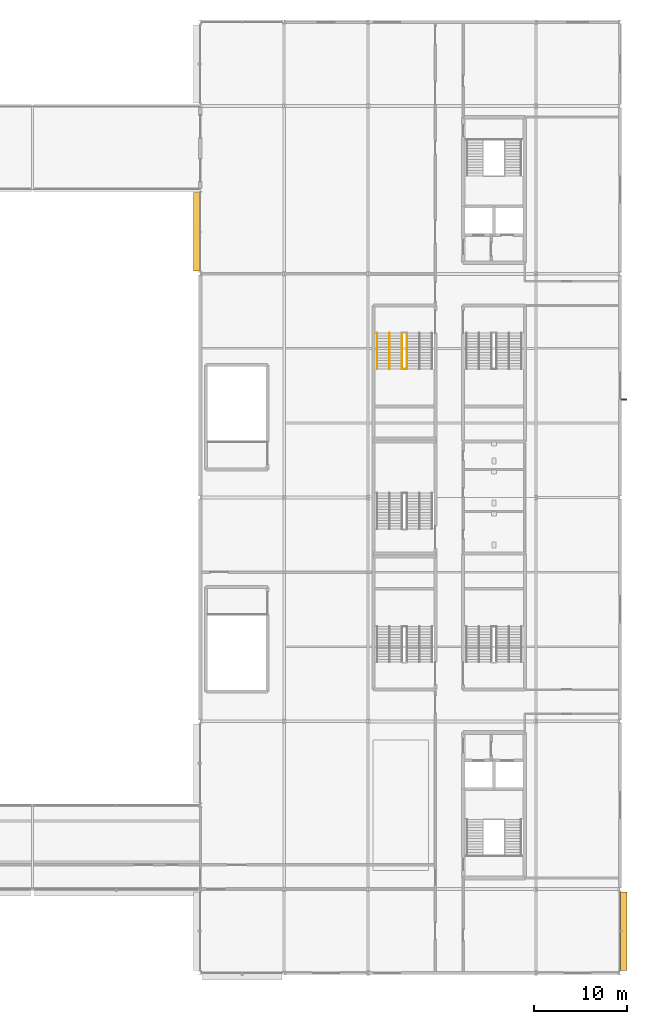
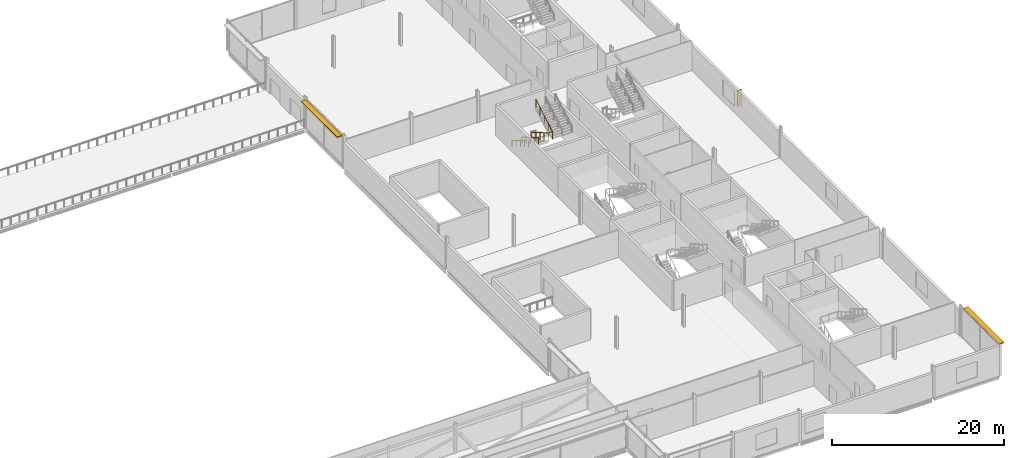
# One storey, part 71 of 73: 3 railings, 3 shading devices.
"""IFC4 building model written with IfcOpenShell, lengths in metres."""

from ifc_helpers import new_model, si_unit, direction, frame, origin, origin_2d, place, context, subcontext, project, spatial, rectangle, circle, extrude, material, type_object, element, save


model = new_model("IFC4")

# Units and contexts
model_context = context("Model", 3, precision=1e-05, world=origin(), true_north=direction((0.0, 1.0)))
body_context = subcontext(model_context, "Body", "Model", "MODEL_VIEW")
ifc_project = project(units=[si_unit("LENGTHUNIT", "METRE"), si_unit("AREAUNIT", "SQUARE_METRE"), si_unit("VOLUMEUNIT", "CUBIC_METRE"), si_unit("PLANEANGLEUNIT", "RADIAN"), si_unit("MASSUNIT", "GRAM", prefix="KILO")], contexts=[model_context])

# Site, building, storey
site_placement = place(None, origin())
site = spatial("IfcSite", under=ifc_project, at=site_placement, CompositionType="ELEMENT")
building_placement = place(site_placement, origin())
building = spatial("IfcBuilding", under=site, at=building_placement, Name="Kisiwana Market Hall", CompositionType="ELEMENT")
storey_placement = place(building_placement, frame((0.0, 0.0, 33.300048828125)))
storey = spatial("IfcBuildingStorey", under=building, at=storey_placement, Name="L07", CompositionType="ELEMENT", Elevation=33.300048828125)

# Railings
ifc_material_1 = material(Name="Steel S275", Category="steel")
railing_type_1 = type_object("IfcRailingType", Name="RL-GUARD-1100", PredefinedType="GUARDRAIL", material=ifc_material_1)
railing_placement = place(storey_placement, frame((174.6201171875, 77.639892578125, 0.0)))
element("IfcRailing", 1, at=railing_placement, inside=storey, type_object=railing_type_1, Name="Stair ST-E8-L07 inner-well guardrail (RL-1109)", PredefinedType="GUARDRAIL", context=body_context, shape_type="SweptSolid", body=[
    extrude(circle(Radius=0.02392578125, at=origin_2d()), frame((0.0, 0.0, 1.076171875), z_axis=(0.0, -0.86250956776, 0.506040754805), x_axis=(1.0, 0.0, 0.0)), (0.0, 0.0, 1.0), 4.4462890625),
    extrude(circle(Radius=0.02392578125, at=origin_2d()), frame((0.0, -3.8349609375, 3.326171875), z_axis=(1.0, 0.0, 0.0), x_axis=(0.0, 1.0, 0.0)), (0.0, 0.0, 1.0), 0.559814453125),
    extrude(circle(Radius=0.02392578125, at=origin_2d()), frame((0.559814453125, -3.8349609375, 3.326171875), z_axis=(0.0, 0.86250956776, 0.506040754805), x_axis=(-1.0, 0.0, 0.0)), (0.0, 0.0, 1.0), 4.4462890625),
    extrude(circle(Radius=0.02099609375, at=origin_2d()), origin(), (0.0, 0.0, 1.0), 1.052001953125),
    extrude(circle(Radius=0.02099609375, at=origin_2d()), frame((0.0, -0.958740234375, 0.5625)), (0.0, 0.0, 1.0), 1.052001953125),
    extrude(circle(Radius=0.02099609375, at=origin_2d()), frame((0.0, -1.91748046875, 1.125)), (0.0, 0.0, 1.0), 1.052001953125),
    extrude(circle(Radius=0.02099609375, at=origin_2d()), frame((0.0, -2.876220703125, 1.6875)), (0.0, 0.0, 1.0), 1.052001953125),
    extrude(circle(Radius=0.02099609375, at=origin_2d()), frame((0.0, -3.8349609375, 2.25)), (0.0, 0.0, 1.0), 1.052001953125),
    extrude(circle(Radius=0.02099609375, at=origin_2d()), frame((0.559814453125, -3.8349609375, 2.25)), (0.0, 0.0, 1.0), 1.052001953125),
    extrude(circle(Radius=0.02099609375, at=origin_2d()), frame((0.559814453125, -2.876220703125, 2.8125)), (0.0, 0.0, 1.0), 1.052001953125),
    extrude(circle(Radius=0.02099609375, at=origin_2d()), frame((0.559814453125, -1.91748046875, 3.375)), (0.0, 0.0, 1.0), 1.052001953125),
    extrude(circle(Radius=0.02099609375, at=origin_2d()), frame((0.559814453125, -0.958740234375, 3.9375)), (0.0, 0.0, 1.0), 1.052001953125),
    extrude(circle(Radius=0.02099609375, at=origin_2d()), frame((0.559814453125, 0.0, 4.5)), (0.0, 0.0, 1.0), 1.052001953125),
])
ifc_material_2 = material(Name="Steel S275", Category="steel")
railing_type_2 = type_object("IfcRailingType", Name="RL-HAND-900", PredefinedType="HANDRAIL", material=ifc_material_2)
for number, where, name in (
    (2, (171.969970703125, 77.639892578125, 0.0), "Stair ST-E8-L07 flight 1 handrail (RL-1110)"),
    (3, (173.2900390625, 77.639892578125, 0.0), "Stair ST-E8-L07 flight 1 intermediate handrail (RL-1112)"),
):
    element("IfcRailing", number, at=place(storey_placement, frame(where)), inside=storey, type_object=railing_type_2, Name=name, PredefinedType="HANDRAIL", context=body_context, shape_type="SweptSolid", body=[
        extrude(circle(Radius=0.02392578125, at=origin_2d()), frame((0.0, 0.0, 0.8759765625), z_axis=(0.0, -0.86250956776, 0.506040754805), x_axis=(1.0, 0.0, 0.0)), (0.0, 0.0, 1.0), 4.4462890625),
        extrude(circle(Radius=0.02099609375, at=origin_2d()), origin(), (0.0, 0.0, 1.0), 0.851806640625),
        extrude(circle(Radius=0.02099609375, at=origin_2d()), frame((0.0, -0.958740234375, 0.5625)), (0.0, 0.0, 1.0), 0.851806640625),
        extrude(circle(Radius=0.02099609375, at=origin_2d()), frame((0.0, -1.91748046875, 1.125)), (0.0, 0.0, 1.0), 0.851806640625),
        extrude(circle(Radius=0.02099609375, at=origin_2d()), frame((0.0, -2.876220703125, 1.6875)), (0.0, 0.0, 1.0), 0.851806640625),
        extrude(circle(Radius=0.02099609375, at=origin_2d()), frame((0.0, -3.8349609375, 2.25)), (0.0, 0.0, 1.0), 0.851806640625),
    ])

# Shading devices
ifc_material_3 = material(Name="Aluminium alloy 6063-T6", Category="aluminium")
shading_device_type_1 = type_object("IfcShadingDeviceType", Name="SHD-JALOUSIE-H", PredefinedType="JALOUSIE", material=ifc_material_3)
for number, where, z_axis, x_axis, name in (
    (4, (152.580078125, 88.5, 4.074951171875), (0.0, 0.0, 1.0), (0.0, 1.0, 0.0), "Aluminium brise-soleil louvre SHD-174 SD-174"),
    (5, (198.419921875, 13.5, 4.074951171875), (0.0, 0.0, 1.0), (0.0, 1.0, 0.0), "Aluminium brise-soleil louvre SHD-177 SD-176"),
):
    element("IfcShadingDevice", number, at=place(storey_placement, frame(where, z_axis=z_axis, x_axis=x_axis)), inside=storey, type_object=shading_device_type_1, Name=name, PredefinedType="JALOUSIE", context=body_context, shape_type="SweptSolid", body=[
        extrude(rectangle(XDim=8.39990234375, YDim=0.64990234375, at=origin_2d()), origin(), (0.0, 0.0, 1.0), 0.1201171875),
    ])
ifc_material_4 = material(Name="Aluminium alloy 6063-T6", Category="aluminium")
shading_device_type_2 = type_object("IfcShadingDeviceType", Name="SHD-SHUTTER-V", PredefinedType="SHUTTER", material=ifc_material_4)
shading_device_placement = place(storey_placement, frame((198.445068359375, 70.52001953125, 0.849853515625), z_axis=(0.0, 0.0, 1.0), x_axis=(0.0, 1.0, 0.0)))
element("IfcShadingDevice", 6, at=shading_device_placement, inside=storey, type_object=shading_device_type_2, Name="Vertical solar fin SHD-178 SD-177", PredefinedType="SHUTTER", context=body_context, shape_type="SweptSolid", body=[
    extrude(rectangle(XDim=0.1201171875, YDim=0.550048828125, at=origin_2d()), origin(), (0.0, 0.0, 1.0), 2.25),
])

save(model, "model.ifc")
